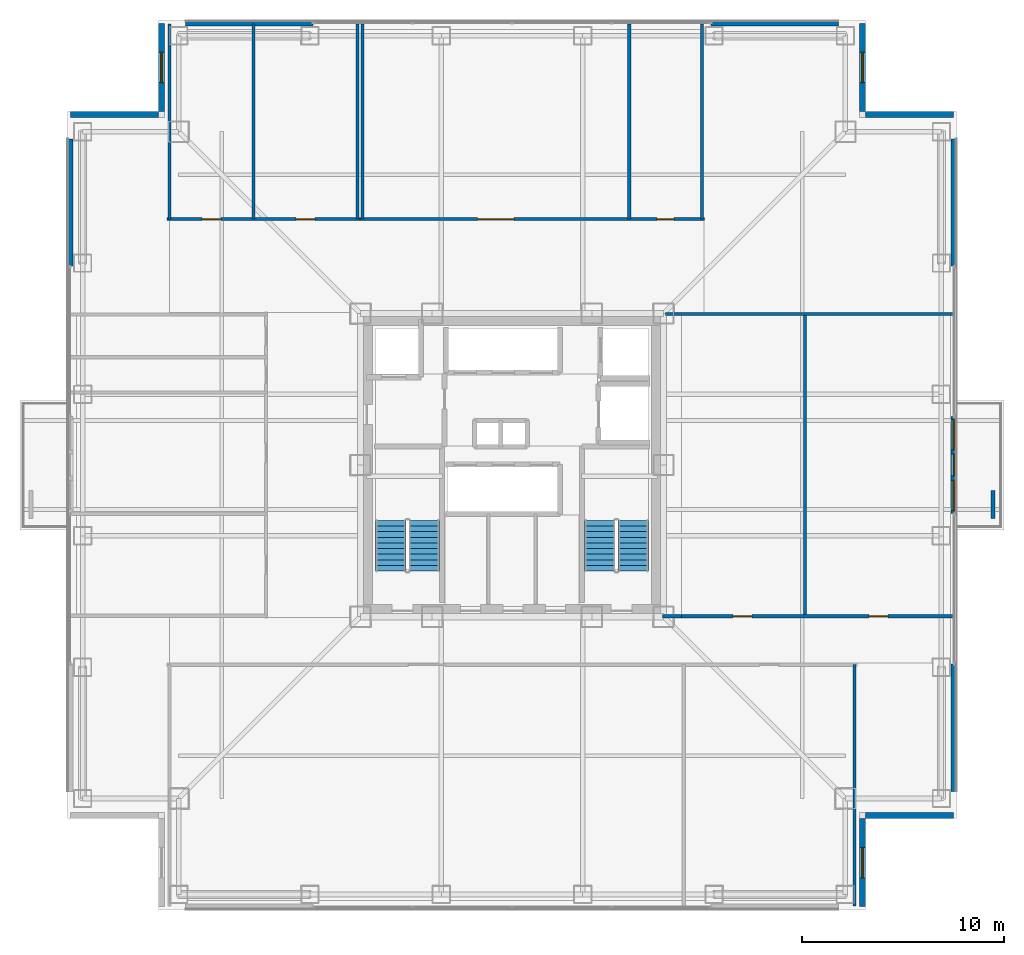
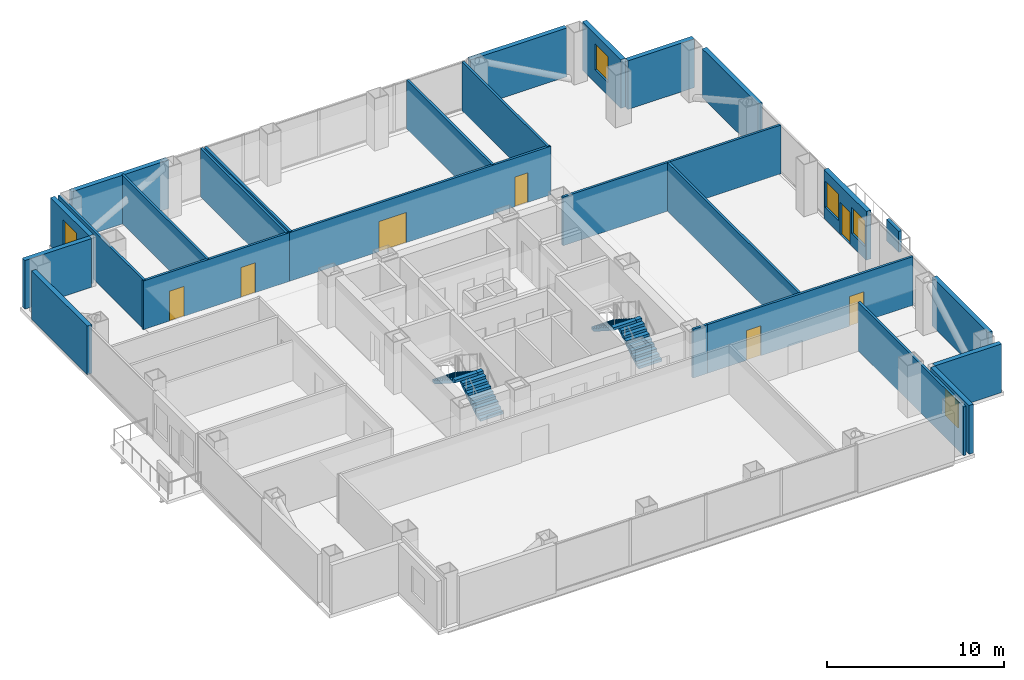
# One storey, part 13 of 16: 26 walls, 7 doors, 5 windows, 4 stair flights, 12 openings, 2 elements without a shape of their own.
"""IFC4 building model written with IfcOpenShell, lengths in metres."""

from ifc_helpers import new_model, si_unit, direction, frame, frame_2d, origin, place, context, subcontext, project, spatial, polyline, rectangle, outline, extrude, material, layer, layer_set, type_object, element, fill, aggregate, save


model = new_model("IFC4")

# Units and contexts
model_context = context("Model", 3, precision=1e-05, world=origin(), true_north=direction((0.0, 1.0)))
body_context = subcontext(model_context, "Body", "Model", "MODEL_VIEW")
ifc_project = project(units=[si_unit("LENGTHUNIT", "METRE"), si_unit("AREAUNIT", "SQUARE_METRE"), si_unit("VOLUMEUNIT", "CUBIC_METRE"), si_unit("PLANEANGLEUNIT", "RADIAN"), si_unit("MASSUNIT", "GRAM", prefix="KILO")], contexts=[model_context])

# Site, building, storey
site_placement = place(None, origin())
site = spatial("IfcSite", under=ifc_project, at=site_placement, CompositionType="ELEMENT")
building_placement = place(site_placement, origin())
building = spatial("IfcBuilding", under=site, at=building_placement, Name="Trevonay Congress Spire", CompositionType="ELEMENT")
storey_placement = place(building_placement, frame((0.0, 0.0, 144.39990234375)))
storey = spatial("IfcBuildingStorey", under=building, at=storey_placement, Name="L37", CompositionType="ELEMENT", Elevation=144.39990234375)

# Wall, openings, doors
ifc_material_1 = material(Name="Concrete C40/50", Category="concrete")
ifc_layer_1 = layer(ifc_material_1, 0.14990234375, Name="Concrete C40/50")
ifc_layer_set_1 = layer_set([ifc_layer_1], Name="Concrete C40/50")
wall_type_1 = type_object("IfcWallType", Name="WAL-CORR-150", PredefinedType="PARTITIONING", material=ifc_layer_set_1)
wall_1_placement = place(storey_placement, frame((-17.070068359375, 12.179931640625, 0.0), z_axis=(0.0, 0.0, 1.0), x_axis=(1.0, 0.0, 0.0)))
wall_1 = element("IfcWall", 1, at=wall_1_placement, inside=storey, type_object=wall_type_1, Name="L37 interior wall WP-L37NW-COR", PredefinedType="PARTITIONING", context=body_context, shape_type="SweptSolid", body=[
    extrude(rectangle(XDim=9.5400390625, YDim=0.14990234375, at=frame_2d((4.77001953125, 0.0))), origin(), (0.0, 0.0, 1.0), 3.360107421875),
])
opening_1_placement = place(wall_1_placement, frame((1.719970703125, 0.0, 0.0)))
opening_1 = element("IfcOpeningElement", 2, at=opening_1_placement, cuts=wall_1, Name="Opening D07", PredefinedType="OPENING", context=body_context, shape_type="SweptSolid", body=[
    extrude(rectangle(XDim=0.949951171875, YDim=2.06005859375, at=frame_2d((0.47509765625, 1.030029296875))), frame((0.0, 0.0849609375, 0.0), z_axis=(0.0, -1.0, 0.0), x_axis=(1.0, 0.0, 0.0)), (0.0, 0.0, 1.0), 0.169921875),
])
opening_2_placement = place(wall_1_placement, frame((6.3701171875, 0.0, 0.0)))
opening_2 = element("IfcOpeningElement", 3, at=opening_2_placement, cuts=wall_1, Name="Opening D07", PredefinedType="OPENING", context=body_context, shape_type="SweptSolid", body=[
    extrude(rectangle(XDim=0.949951171875, YDim=2.06005859375, at=frame_2d((0.47509765625, 1.030029296875))), frame((0.0, 0.0849609375, 0.0), z_axis=(0.0, -1.0, 0.0), x_axis=(1.0, 0.0, 0.0)), (0.0, 0.0, 1.0), 0.169921875),
])
ifc_material_2 = material(Name="Pale Anodised Aluminium EN AW-6063-T6", Category="aluminium")
door_type_1 = type_object("IfcDoorType", Name="DOR-OFFICE-95", OperationType="NOTDEFINED", PredefinedType="DOOR", material=ifc_material_2)
door_1_placement = place(opening_1_placement, origin())
door_1 = element("IfcDoor", 4, at=door_1_placement, inside=storey, type_object=door_type_1, Name="L37 Podcast Production Office Door", OperationType="SINGLE_SWING_RIGHT", OverallHeight=2.06005859375, OverallWidth=0.949951171875, PredefinedType="DOOR", context=body_context, shape_type="SweptSolid", body=[
    extrude(rectangle(XDim=0.949951171875, YDim=2.06005859375, at=frame_2d((0.47509765625, 1.030029296875))), frame((0.0, 0.02490234375, 0.0), z_axis=(0.0, -1.0, 0.0), x_axis=(1.0, 0.0, 0.0)), (0.0, 0.0, 1.0), 0.050048828125),
])
fill(opening_1, door_1)
door_2_placement = place(opening_2_placement, origin())
door_2 = element("IfcDoor", 5, at=door_2_placement, inside=storey, type_object=door_type_1, Name="L37 Audio Editing Office Door", OperationType="SINGLE_SWING_LEFT", OverallHeight=2.06005859375, OverallWidth=0.949951171875, PredefinedType="DOOR", context=body_context, shape_type="SweptSolid", body=[
    extrude(rectangle(XDim=0.949951171875, YDim=2.06005859375, at=frame_2d((0.47509765625, 1.030029296875))), frame((0.0, 0.02490234375, 0.0), z_axis=(0.0, -1.0, 0.0), x_axis=(1.0, 0.0, 0.0)), (0.0, 0.0, 1.0), 0.050048828125),
])
fill(opening_2, door_2)

wall_2_placement = place(storey_placement, frame((-7.52001953125, 12.179931640625, 0.0), z_axis=(0.0, 0.0, 1.0), x_axis=(1.0, 0.0, 0.0)))
wall_2 = element("IfcWall", 6, at=wall_2_placement, inside=storey, type_object=wall_type_1, Name="L37 interior wall WP-L37NE-COR", PredefinedType="PARTITIONING", context=body_context, shape_type="SweptSolid", body=[
    extrude(rectangle(XDim=17.0400390625, YDim=0.14990234375, at=frame_2d((8.52001953125, 0.0))), origin(), (0.0, 0.0, 1.0), 3.360107421875),
])
opening_3_placement = place(wall_2_placement, frame((5.820068359375, 0.0, 0.0)))
opening_3 = element("IfcOpeningElement", 7, at=opening_3_placement, cuts=wall_2, Name="Opening D09", PredefinedType="OPENING", context=body_context, shape_type="SweptSolid", body=[
    extrude(rectangle(XDim=1.800048828125, YDim=2.080078125, at=frame_2d((0.89990234375, 1.0400390625))), frame((0.0, 0.0849609375, 0.0), z_axis=(0.0, -1.0, 0.0), x_axis=(1.0, 0.0, 0.0)), (0.0, 0.0, 1.0), 0.169921875),
])
opening_4_placement = place(wall_2_placement, frame((14.695068359375, 0.0, 0.0)))
opening_4 = element("IfcOpeningElement", 8, at=opening_4_placement, cuts=wall_2, Name="Opening D10", PredefinedType="OPENING", context=body_context, shape_type="SweptSolid", body=[
    extrude(rectangle(XDim=0.85009765625, YDim=2.050048828125, at=frame_2d((0.425048828125, 1.02490234375))), frame((0.0, 0.0849609375, 0.0), z_axis=(0.0, -1.0, 0.0), x_axis=(1.0, 0.0, 0.0)), (0.0, 0.0, 1.0), 0.169921875),
])
door_type_2 = type_object("IfcDoorType", Name="DOR-CONF-DBL", OperationType="DOUBLE_DOOR_SINGLE_SWING", PredefinedType="DOOR", material=ifc_material_2)
door_3_placement = place(opening_3_placement, origin())
door_3 = element("IfcDoor", 9, at=door_3_placement, inside=storey, type_object=door_type_2, Name="L37 Photography Exhibition Salon Door", OperationType="DOUBLE_DOOR_SINGLE_SWING", OverallHeight=2.080078125, OverallWidth=1.800048828125, PredefinedType="DOOR", context=body_context, shape_type="SweptSolid", body=[
    extrude(rectangle(XDim=1.800048828125, YDim=2.080078125, at=frame_2d((0.89990234375, 1.0400390625))), frame((0.0, 0.02490234375, 0.0), z_axis=(0.0, -1.0, 0.0), x_axis=(1.0, 0.0, 0.0)), (0.0, 0.0, 1.0), 0.050048828125),
])
fill(opening_3, door_3)
door_type_3 = type_object("IfcDoorType", Name="DOR-WC-85", OperationType="NOTDEFINED", PredefinedType="DOOR", material=ifc_material_2)
door_4_placement = place(opening_4_placement, origin())
door_4 = element("IfcDoor", 10, at=door_4_placement, inside=storey, type_object=door_type_3, Name="L37 Female Restroom WC Door", OperationType="SINGLE_SWING_RIGHT", OverallHeight=2.050048828125, OverallWidth=0.85009765625, PredefinedType="DOOR", context=body_context, shape_type="SweptSolid", body=[
    extrude(rectangle(XDim=0.85009765625, YDim=2.050048828125, at=frame_2d((0.425048828125, 1.02490234375))), frame((0.0, 0.02490234375, 0.0), z_axis=(0.0, -1.0, 0.0), x_axis=(1.0, 0.0, 0.0)), (0.0, 0.0, 1.0), 0.050048828125),
])
fill(opening_4, door_4)

# Wall
wall_3_placement = place(storey_placement, frame((7.449951171875, -7.47998046875, 0.0), z_axis=(0.0, 0.0, 1.0), x_axis=(1.0, 0.0, 0.0)))
element("IfcWall", 11, at=wall_3_placement, inside=storey, type_object=wall_type_1, Name="L37 interior wall WP-L37E-STUB", PredefinedType="PARTITIONING", context=body_context, shape_type="SweptSolid", body=[
    extrude(rectangle(XDim=0.949951171875, YDim=0.14990234375, at=frame_2d((0.47509765625, 0.0))), origin(), (0.0, 0.0, 1.0), 3.360107421875),
])

# Wall, openings, doors
wall_4_placement = place(storey_placement, frame((8.280029296875, -7.47998046875, 0.0), z_axis=(0.0, 0.0, 1.0), x_axis=(1.0, 0.0, 0.0)))
wall_4 = element("IfcWall", 12, at=wall_4_placement, inside=storey, type_object=wall_type_1, Name="L37 interior wall WP-L37E-COR", PredefinedType="PARTITIONING", context=body_context, shape_type="SweptSolid", body=[
    extrude(rectangle(XDim=13.5400390625, YDim=0.14990234375, at=frame_2d((6.77001953125, 0.0))), origin(), (0.0, 0.0, 1.0), 3.360107421875),
])
opening_5_placement = place(wall_4_placement, frame((2.655029296875, 0.0, 0.0)))
opening_5 = element("IfcOpeningElement", 13, at=opening_5_placement, cuts=wall_4, Name="Opening D07", PredefinedType="OPENING", context=body_context, shape_type="SweptSolid", body=[
    extrude(rectangle(XDim=0.949951171875, YDim=2.06005859375, at=frame_2d((0.47509765625, 1.030029296875))), frame((0.0, 0.0849609375, 0.0), z_axis=(0.0, -1.0, 0.0), x_axis=(1.0, 0.0, 0.0)), (0.0, 0.0, 1.0), 0.169921875),
])
opening_6_placement = place(wall_4_placement, frame((9.385009765625, 0.0, 0.0)))
opening_6 = element("IfcOpeningElement", 14, at=opening_6_placement, cuts=wall_4, Name="Opening D07", PredefinedType="OPENING", context=body_context, shape_type="SweptSolid", body=[
    extrude(rectangle(XDim=0.949951171875, YDim=2.06005859375, at=frame_2d((0.47509765625, 1.030029296875))), frame((0.0, 0.0849609375, 0.0), z_axis=(0.0, -1.0, 0.0), x_axis=(1.0, 0.0, 0.0)), (0.0, 0.0, 1.0), 0.169921875),
])
door_5_placement = place(opening_5_placement, origin())
door_5 = element("IfcDoor", 15, at=door_5_placement, inside=storey, type_object=door_type_1, Name="L37 East Briefing Office Door", OperationType="SINGLE_SWING_LEFT", OverallHeight=2.06005859375, OverallWidth=0.949951171875, PredefinedType="DOOR", context=body_context, shape_type="SweptSolid", body=[
    extrude(rectangle(XDim=0.949951171875, YDim=2.06005859375, at=frame_2d((0.47509765625, 1.030029296875))), frame((0.0, 0.02490234375, 0.0), z_axis=(0.0, -1.0, 0.0), x_axis=(1.0, 0.0, 0.0)), (0.0, 0.0, 1.0), 0.050048828125),
])
fill(opening_5, door_5)
door_6_placement = place(opening_6_placement, origin())
door_6 = element("IfcDoor", 16, at=door_6_placement, inside=storey, type_object=door_type_1, Name="L37 Archive Copy Room Door", OperationType="SINGLE_SWING_RIGHT", OverallHeight=2.06005859375, OverallWidth=0.949951171875, PredefinedType="DOOR", context=body_context, shape_type="SweptSolid", body=[
    extrude(rectangle(XDim=0.949951171875, YDim=2.06005859375, at=frame_2d((0.47509765625, 1.030029296875))), frame((0.0, 0.02490234375, 0.0), z_axis=(0.0, -1.0, 0.0), x_axis=(1.0, 0.0, 0.0)), (0.0, 0.0, 1.0), 0.050048828125),
])
fill(opening_6, door_6)

# Walls
ifc_material_3 = material(Name="Precast concrete C40/50", Category="concrete")
ifc_layer_2 = layer(ifc_material_3, 0.300048828125, Name="Precast concrete C40/50")
ifc_layer_set_2 = layer_set([ifc_layer_2], Name="Precast concrete C40/50")
wall_type_2 = type_object("IfcWallType", Name="WAL-EXT-PRECAST-300", PredefinedType="SOLIDWALL", material=ifc_layer_set_2)
for number, where, z_axis, x_axis, name in (
    (17, (-16.14990234375, 21.8798828125, 0.0), (0.0, 0.0, 1.0), (1.0, 0.0, 0.0), "L37 NL braced-bay exterior pier wall"),
    (18, (9.85009765625, 21.8798828125, 0.0), (0.0, 0.0, 1.0), (1.0, 0.0, 0.0), "L37 NR braced-bay exterior pier wall"),
    (19, (-21.8798828125, 9.85009765625, 0.0), (0.0, 0.0, 1.0), (0.0, 1.0, 0.0), "L37 WR braced-bay exterior pier wall"),
    (20, (21.8798828125, -16.14990234375, 0.0), (0.0, 0.0, 1.0), (0.0, 1.0, 0.0), "L37 EL braced-bay exterior pier wall"),
    (21, (21.8798828125, 9.85009765625, 0.0), (0.0, 0.0, 1.0), (0.0, 1.0, 0.0), "L37 ER braced-bay exterior pier wall"),
):
    element("IfcWall", number, at=place(storey_placement, frame(where, z_axis=z_axis, x_axis=x_axis)), inside=storey, type_object=wall_type_2, Name=name, PredefinedType="SOLIDWALL", context=body_context, shape_type="SweptSolid", body=[
        extrude(rectangle(XDim=6.2998046875, YDim=0.300048828125, at=frame_2d((3.14990234375, 0.0))), origin(), (0.0, 0.0, 1.0), 3.360107421875),
    ])

# Wall, openings, door, windows
wall_5_placement = place(storey_placement, frame((21.8798828125, -2.39990234375, 0.0), z_axis=(0.0, 0.0, 1.0), x_axis=(0.0, 1.0, 0.0)))
wall_5 = element("IfcWall", 22, at=wall_5_placement, inside=storey, type_object=wall_type_2, Name="L37 E glazed balcony portal exterior wall", PredefinedType="SOLIDWALL", context=body_context, shape_type="SweptSolid", body=[
    extrude(rectangle(XDim=4.7998046875, YDim=0.300048828125, at=frame_2d((2.39990234375, 0.0))), origin(), (0.0, 0.0, 1.0), 3.360107421875),
])
opening_7_placement = place(wall_5_placement, frame((1.85009765625, 0.0, 0.0)))
opening_7 = element("IfcOpeningElement", 23, at=opening_7_placement, cuts=wall_5, Name="Opening D03", PredefinedType="OPENING", context=body_context, shape_type="SweptSolid", body=[
    extrude(rectangle(XDim=1.10009765625, YDim=2.199951171875, at=frame_2d((0.550048828125, 1.10009765625))), frame((0.0, 0.16015625, 0.0), z_axis=(0.0, -1.0, 0.0), x_axis=(1.0, 0.0, 0.0)), (0.0, 0.0, 1.0), 0.320068359375),
])
opening_8_placement = place(wall_5_placement, frame((0.14990234375, 0.0, 0.85009765625)))
opening_8 = element("IfcOpeningElement", 24, at=opening_8_placement, cuts=wall_5, Name="Opening WN03", PredefinedType="OPENING", context=body_context, shape_type="SweptSolid", body=[
    extrude(rectangle(XDim=1.5, YDim=1.800048828125, at=frame_2d((0.75, 0.89990234375))), frame((0.0, 0.16015625, 0.0), z_axis=(0.0, -1.0, 0.0), x_axis=(1.0, 0.0, 0.0)), (0.0, 0.0, 1.0), 0.320068359375),
])
opening_9_placement = place(wall_5_placement, frame((3.14990234375, 0.0, 0.85009765625)))
opening_9 = element("IfcOpeningElement", 25, at=opening_9_placement, cuts=wall_5, Name="Opening WN03", PredefinedType="OPENING", context=body_context, shape_type="SweptSolid", body=[
    extrude(rectangle(XDim=1.5, YDim=1.800048828125, at=frame_2d((0.75, 0.89990234375))), frame((0.0, 0.16015625, 0.0), z_axis=(0.0, -1.0, 0.0), x_axis=(1.0, 0.0, 0.0)), (0.0, 0.0, 1.0), 0.320068359375),
])
door_type_4 = type_object("IfcDoorType", Name="DOR-EXT-BAL-110", OperationType="NOTDEFINED", PredefinedType="DOOR", material=ifc_material_2)
door_7_placement = place(opening_7_placement, origin())
door_7 = element("IfcDoor", 26, at=door_7_placement, inside=storey, type_object=door_type_4, Name="L37 E glazed outdoor terrace and balcony door", OperationType="SINGLE_SWING_RIGHT", OverallHeight=2.199951171875, OverallWidth=1.10009765625, PredefinedType="DOOR", context=body_context, shape_type="SweptSolid", body=[
    extrude(rectangle(XDim=1.10009765625, YDim=2.199951171875, at=frame_2d((0.550048828125, 1.10009765625))), frame((0.0, 0.02490234375, 0.0), z_axis=(0.0, -1.0, 0.0), x_axis=(1.0, 0.0, 0.0)), (0.0, 0.0, 1.0), 0.050048828125),
])
fill(opening_7, door_7)
ifc_material_4 = material(Name="Insulated Low-E Vision Glass IGU", Category="glass")
window_type = type_object("IfcWindowType", Name="WIN-NOTCH-150X180", PartitioningType="SINGLE_PANEL", PredefinedType="WINDOW", material=ifc_material_4)
window_1_placement = place(opening_8_placement, origin())
window_1 = element("IfcWindow", 27, at=window_1_placement, inside=storey, type_object=window_type, Name="L37 E balcony sidelight window L", OverallHeight=1.800048828125, OverallWidth=1.5, PartitioningType="SINGLE_PANEL", PredefinedType="WINDOW", context=body_context, shape_type="SweptSolid", body=[
    extrude(rectangle(XDim=1.5, YDim=1.800048828125, at=frame_2d((0.75, 0.89990234375))), frame((0.0, 0.030029296875, 0.0), z_axis=(0.0, -1.0, 0.0), x_axis=(1.0, 0.0, 0.0)), (0.0, 0.0, 1.0), 0.06005859375),
])
fill(opening_8, window_1)
window_2_placement = place(opening_9_placement, origin())
window_2 = element("IfcWindow", 28, at=window_2_placement, inside=storey, type_object=window_type, Name="L37 E balcony sidelight window R", OverallHeight=1.800048828125, OverallWidth=1.5, PartitioningType="SINGLE_PANEL", PredefinedType="WINDOW", context=body_context, shape_type="SweptSolid", body=[
    extrude(rectangle(XDim=1.5, YDim=1.800048828125, at=frame_2d((0.75, 0.89990234375))), frame((0.0, 0.030029296875, 0.0), z_axis=(0.0, -1.0, 0.0), x_axis=(1.0, 0.0, 0.0)), (0.0, 0.0, 1.0), 0.06005859375),
])
fill(opening_9, window_2)

# Wall, opening, window
wall_6_placement = place(storey_placement, frame((17.35009765625, -21.85009765625, 0.0), z_axis=(0.0, 0.0, 1.0), x_axis=(0.0, 1.0, 0.0)))
wall_6 = element("IfcWall", 29, at=wall_6_placement, inside=storey, type_object=wall_type_2, Name="L37 SE re-entrant notch exterior wall 1", PredefinedType="SOLIDWALL", context=body_context, shape_type="SweptSolid", body=[
    extrude(rectangle(XDim=4.35009765625, YDim=0.300048828125, at=frame_2d((2.175048828125, 0.0))), origin(), (0.0, 0.0, 1.0), 3.360107421875),
])
opening_10_placement = place(wall_6_placement, frame((1.425048828125, 0.0, 0.89990234375)))
opening_10 = element("IfcOpeningElement", 30, at=opening_10_placement, cuts=wall_6, Name="Opening WN03", PredefinedType="OPENING", context=body_context, shape_type="SweptSolid", body=[
    extrude(rectangle(XDim=1.5, YDim=1.800048828125, at=frame_2d((0.75, 0.89990234375))), frame((0.0, 0.16015625, 0.0), z_axis=(0.0, -1.0, 0.0), x_axis=(1.0, 0.0, 0.0)), (0.0, 0.0, 1.0), 0.320068359375),
])
window_3_placement = place(opening_10_placement, origin())
window_3 = element("IfcWindow", 31, at=window_3_placement, inside=storey, type_object=window_type, Name="L37 SE corner notch window", OverallHeight=1.800048828125, OverallWidth=1.5, PartitioningType="SINGLE_PANEL", PredefinedType="WINDOW", context=body_context, shape_type="SweptSolid", body=[
    extrude(rectangle(XDim=1.5, YDim=1.800048828125, at=frame_2d((0.75, 0.89990234375))), frame((0.0, 0.030029296875, 0.0), z_axis=(0.0, -1.0, 0.0), x_axis=(1.0, 0.0, 0.0)), (0.0, 0.0, 1.0), 0.06005859375),
])
fill(opening_10, window_3)

# Wall
wall_7_placement = place(storey_placement, frame((21.85009765625, -17.35009765625, 0.0), z_axis=(0.0, 0.0, 1.0), x_axis=(-1.0, 0.0, 0.0)))
element("IfcWall", 32, at=wall_7_placement, inside=storey, type_object=wall_type_2, Name="L37 SE re-entrant notch exterior wall 2", PredefinedType="SOLIDWALL", context=body_context, shape_type="SweptSolid", body=[
    extrude(rectangle(XDim=4.35009765625, YDim=0.300048828125, at=frame_2d((2.175048828125, 0.0))), origin(), (0.0, 0.0, 1.0), 3.360107421875),
])

# Wall, opening, window
wall_8_placement = place(storey_placement, frame((17.35009765625, 21.85009765625, 0.0), z_axis=(0.0, 0.0, 1.0), x_axis=(0.0, -1.0, 0.0)))
wall_8 = element("IfcWall", 33, at=wall_8_placement, inside=storey, type_object=wall_type_2, Name="L37 NE re-entrant notch exterior wall 1", PredefinedType="SOLIDWALL", context=body_context, shape_type="SweptSolid", body=[
    extrude(rectangle(XDim=4.35009765625, YDim=0.300048828125, at=frame_2d((2.175048828125, 0.0))), origin(), (0.0, 0.0, 1.0), 3.360107421875),
])
opening_11_placement = place(wall_8_placement, frame((1.425048828125, 0.0, 0.89990234375)))
opening_11 = element("IfcOpeningElement", 34, at=opening_11_placement, cuts=wall_8, Name="Opening WN03", PredefinedType="OPENING", context=body_context, shape_type="SweptSolid", body=[
    extrude(rectangle(XDim=1.5, YDim=1.800048828125, at=frame_2d((0.75, 0.89990234375))), frame((0.0, 0.16015625, 0.0), z_axis=(0.0, -1.0, 0.0), x_axis=(1.0, 0.0, 0.0)), (0.0, 0.0, 1.0), 0.320068359375),
])
window_4_placement = place(opening_11_placement, origin())
window_4 = element("IfcWindow", 35, at=window_4_placement, inside=storey, type_object=window_type, Name="L37 NE corner notch window", OverallHeight=1.800048828125, OverallWidth=1.5, PartitioningType="SINGLE_PANEL", PredefinedType="WINDOW", context=body_context, shape_type="SweptSolid", body=[
    extrude(rectangle(XDim=1.5, YDim=1.800048828125, at=frame_2d((0.75, 0.89990234375))), frame((0.0, 0.030029296875, 0.0), z_axis=(0.0, -1.0, 0.0), x_axis=(1.0, 0.0, 0.0)), (0.0, 0.0, 1.0), 0.06005859375),
])
fill(opening_11, window_4)

# Wall
wall_9_placement = place(storey_placement, frame((21.85009765625, 17.35009765625, 0.0), z_axis=(0.0, 0.0, 1.0), x_axis=(-1.0, 0.0, 0.0)))
element("IfcWall", 36, at=wall_9_placement, inside=storey, type_object=wall_type_2, Name="L37 NE re-entrant notch exterior wall 2", PredefinedType="SOLIDWALL", context=body_context, shape_type="SweptSolid", body=[
    extrude(rectangle(XDim=4.35009765625, YDim=0.300048828125, at=frame_2d((2.175048828125, 0.0))), origin(), (0.0, 0.0, 1.0), 3.360107421875),
])

# Wall, opening, window
wall_10_placement = place(storey_placement, frame((-17.35009765625, 21.85009765625, 0.0), z_axis=(0.0, 0.0, 1.0), x_axis=(0.0, -1.0, 0.0)))
wall_10 = element("IfcWall", 37, at=wall_10_placement, inside=storey, type_object=wall_type_2, Name="L37 NW re-entrant notch exterior wall 1", PredefinedType="SOLIDWALL", context=body_context, shape_type="SweptSolid", body=[
    extrude(rectangle(XDim=4.35009765625, YDim=0.300048828125, at=frame_2d((2.175048828125, 0.0))), origin(), (0.0, 0.0, 1.0), 3.360107421875),
])
opening_12_placement = place(wall_10_placement, frame((1.425048828125, 0.0, 0.89990234375)))
opening_12 = element("IfcOpeningElement", 38, at=opening_12_placement, cuts=wall_10, Name="Opening WN03", PredefinedType="OPENING", context=body_context, shape_type="SweptSolid", body=[
    extrude(rectangle(XDim=1.5, YDim=1.800048828125, at=frame_2d((0.75, 0.89990234375))), frame((0.0, 0.16015625, 0.0), z_axis=(0.0, -1.0, 0.0), x_axis=(1.0, 0.0, 0.0)), (0.0, 0.0, 1.0), 0.320068359375),
])
window_5_placement = place(opening_12_placement, origin())
window_5 = element("IfcWindow", 39, at=window_5_placement, inside=storey, type_object=window_type, Name="L37 NW corner notch window", OverallHeight=1.800048828125, OverallWidth=1.5, PartitioningType="SINGLE_PANEL", PredefinedType="WINDOW", context=body_context, shape_type="SweptSolid", body=[
    extrude(rectangle(XDim=1.5, YDim=1.800048828125, at=frame_2d((0.75, 0.89990234375))), frame((0.0, 0.030029296875, 0.0), z_axis=(0.0, -1.0, 0.0), x_axis=(1.0, 0.0, 0.0)), (0.0, 0.0, 1.0), 0.06005859375),
])
fill(opening_12, window_5)

# Walls
wall_11_placement = place(storey_placement, frame((-21.85009765625, 17.35009765625, 0.0), z_axis=(0.0, 0.0, 1.0), x_axis=(1.0, 0.0, 0.0)))
element("IfcWall", 40, at=wall_11_placement, inside=storey, type_object=wall_type_2, Name="L37 NW re-entrant notch exterior wall 2", PredefinedType="SOLIDWALL", context=body_context, shape_type="SweptSolid", body=[
    extrude(rectangle(XDim=4.35009765625, YDim=0.300048828125, at=frame_2d((2.175048828125, 0.0))), origin(), (0.0, 0.0, 1.0), 3.360107421875),
])
ifc_layer_3 = layer(ifc_material_1, 0.14990234375, Name="Concrete C40/50")
ifc_layer_set_3 = layer_set([ifc_layer_3], Name="Concrete C40/50")
wall_type_3 = type_object("IfcWallType", Name="WAL-PART-150", PredefinedType="PARTITIONING", material=ifc_layer_set_3)
wall_12_placement = place(storey_placement, frame((16.949951171875, -21.820068359375, 0.0), z_axis=(0.0, 0.0, 1.0), x_axis=(0.0, 1.0, 0.0)))
element("IfcWall", 41, at=wall_12_placement, inside=storey, type_object=wall_type_3, Name="L37 interior wall WP-L37S-DIV3", PredefinedType="PARTITIONING", context=body_context, shape_type="SweptSolid", body=[
    extrude(rectangle(XDim=11.940185546875, YDim=0.14990234375, at=frame_2d((5.97021484375, 0.0))), origin(), (0.0, 0.0, 1.0), 3.360107421875),
])
for number, where, z_axis, x_axis, name in (
    (42, (-16.949951171875, 12.179931640625, 0.0), (0.0, 0.0, 1.0), (0.0, 1.0, 0.0), "L37 interior wall WP-L37NW-DIV1"),
    (43, (-12.800048828125, 12.179931640625, 0.0), (0.0, 0.0, 1.0), (0.0, 1.0, 0.0), "L37 interior wall WP-L37NW-DIV2"),
    (44, (-7.64990234375, 12.179931640625, 0.0), (0.0, 0.0, 1.0), (0.0, 1.0, 0.0), "L37 interior wall WP-L37NW-DIV3"),
    (45, (9.39990234375, 12.179931640625, 0.0), (0.0, 0.0, 1.0), (0.0, 1.0, 0.0), "L37 interior wall WP-L37NE-DIV3"),
):
    element("IfcWall", number, at=place(storey_placement, frame(where, z_axis=z_axis, x_axis=x_axis)), inside=storey, type_object=wall_type_3, Name=name, PredefinedType="PARTITIONING", context=body_context, shape_type="SweptSolid", body=[
        extrude(rectangle(XDim=9.64013671875, YDim=0.14990234375, at=frame_2d((4.820068359375, 0.0))), origin(), (0.0, 0.0, 1.0), 3.360107421875),
    ])
wall_13_placement = place(storey_placement, frame((14.5, -7.47998046875, 0.0), z_axis=(0.0, 0.0, 1.0), x_axis=(0.0, 1.0, 0.0)))
element("IfcWall", 46, at=wall_13_placement, inside=storey, type_object=wall_type_3, Name="L37 interior wall WP-L37E-DIV1", PredefinedType="PARTITIONING", context=body_context, shape_type="SweptSolid", body=[
    extrude(rectangle(XDim=14.8798828125, YDim=0.14990234375, at=frame_2d((7.43994140625, 0.0))), origin(), (0.0, 0.0, 1.0), 3.360107421875),
])
wall_14_placement = place(storey_placement, frame((7.60009765625, 7.47998046875, 0.0), z_axis=(0.0, 0.0, 1.0), x_axis=(1.0, 0.0, 0.0)))
element("IfcWall", 47, at=wall_14_placement, inside=storey, type_object=wall_type_3, Name="L37 interior wall WP-L37E-NCLS", PredefinedType="PARTITIONING", context=body_context, shape_type="SweptSolid", body=[
    extrude(rectangle(XDim=14.219970703125, YDim=0.14990234375, at=frame_2d((7.10986328125, 0.0))), origin(), (0.0, 0.0, 1.0), 3.360107421875),
])
ifc_layer_4 = layer(ifc_material_3, 0.199951171875, Name="Precast concrete C40/50")
ifc_layer_set_4 = layer_set([ifc_layer_4], Name="Precast concrete C40/50")
wall_type_4 = type_object("IfcWallType", Name="WAL-TREE-PLANTER-200", PredefinedType="PARAPET", material=ifc_layer_set_4)
wall_15_placement = place(storey_placement, frame((23.800048828125, -2.64990234375, 0.0), z_axis=(0.0, 0.0, 1.0), x_axis=(0.0, 1.0, 0.0)))
element("IfcWall", 48, at=wall_15_placement, inside=storey, type_object=wall_type_4, Name="L37 E cantilevered balcony tree planter box", PredefinedType="PARAPET", context=body_context, shape_type="SweptSolid", body=[
    extrude(rectangle(XDim=1.39990234375, YDim=0.199951171875, at=frame_2d((0.699951171875, 0.0))), origin(), (0.0, 0.0, 1.0), 1.4501953125),
])
ifc_layer_5 = layer(ifc_material_1, 0.1650390625, Name="Concrete C40/50")
ifc_layer_set_5 = layer_set([ifc_layer_5], Name="Concrete C40/50")
wall_type_5 = type_object("IfcWallType", Name="WAL-WET-165", PredefinedType="PLUMBINGWALL", material=ifc_layer_set_5)
for number, where, z_axis, x_axis, name in (
    (49, (-7.39990234375, 12.179931640625, 0.0), (0.0, 0.0, 1.0), (0.0, 1.0, 0.0), "L37 interior wall WP-L37NE-DIV1"),
    (50, (5.800048828125, 12.179931640625, 0.0), (0.0, 0.0, 1.0), (0.0, 1.0, 0.0), "L37 interior wall WP-L37NE-DIV2"),
):
    element("IfcWall", number, at=place(storey_placement, frame(where, z_axis=z_axis, x_axis=x_axis)), inside=storey, type_object=wall_type_5, Name=name, PredefinedType="PLUMBINGWALL", context=body_context, shape_type="SweptSolid", body=[
        extrude(rectangle(XDim=9.64013671875, YDim=0.1650390625, at=frame_2d((4.820068359375, 0.0))), origin(), (0.0, 0.0, 1.0), 3.360107421875),
    ])

# Stair, stair flights
stair_type_1 = type_object("IfcStairType", Name="STR-ST-1", PredefinedType="HALF_TURN_STAIR", material=ifc_material_1)
stair_1_placement = place(storey_placement, origin())
stair_1 = element("IfcStair", 51, at=stair_1_placement, inside=storey, type_object=stair_type_1, Name="L37 Protected Exit Stair ST-1", PredefinedType="HALF_TURN_STAIR")
stair_flight_type_1 = type_object("IfcStairFlightType", Name="SFL-ST-1", PredefinedType="STRAIGHT", material=ifc_material_1)
stair_flight_1_placement = place(storey_placement, frame((-4.35009765625, -5.25, 0.0), z_axis=(0.0, 0.0, 1.0), x_axis=(0.0, 1.0, 0.0)))
stair_flight_1 = element("IfcStairFlight", 52, at=stair_flight_1_placement, type_object=stair_flight_type_1, Name="ST-1 flight 1", NumberOfRisers=10, NumberOfTreads=9, PredefinedType="STRAIGHT", RiserHeight=0.18, TreadLength=0.28, context=body_context, shape_type="SweptSolid", body=[
    extrude(outline(polyline([(0.0, 0.0), (0.0, 0.179931640625), (0.280029296875, 0.179931640625), (0.280029296875, 0.360107421875), (0.56005859375, 0.360107421875), (0.56005859375, 0.5400390625), (0.840087890625, 0.5400390625), (0.840087890625, 0.719970703125), (1.1201171875, 0.719970703125), (1.1201171875, 0.89990234375), (1.39990234375, 0.89990234375), (1.39990234375, 1.080078125), (1.679931640625, 1.080078125), (1.679931640625, 1.260009765625), (1.9599609375, 1.260009765625), (1.9599609375, 1.43994140625), (2.239990234375, 1.43994140625), (2.239990234375, 1.6201171875), (2.52001953125, 1.6201171875), (2.52001953125, 1.800048828125), (2.52001953125, 1.44189453125), (0.277099609375, 0.0), (0.0, 0.0)])), frame((0.0, 0.75, 0.0), z_axis=(0.0, -1.0, 0.0), x_axis=(1.0, 0.0, 0.0)), (0.0, 0.0, 1.0), 1.5),
])
stair_flight_2_placement = place(storey_placement, frame((-6.0, -2.72998046875, 1.800048828125), z_axis=(0.0, 0.0, 1.0), x_axis=(0.0, -1.0, 0.0)))
stair_flight_2 = element("IfcStairFlight", 53, at=stair_flight_2_placement, type_object=stair_flight_type_1, Name="ST-1 flight 2", NumberOfRisers=10, NumberOfTreads=9, PredefinedType="STRAIGHT", RiserHeight=0.18, TreadLength=0.28, context=body_context, shape_type="SweptSolid", body=[
    extrude(outline(polyline([(0.0, 0.0), (0.0, 0.179931640625), (0.280029296875, 0.179931640625), (0.280029296875, 0.360107421875), (0.56005859375, 0.360107421875), (0.56005859375, 0.5400390625), (0.840087890625, 0.5400390625), (0.840087890625, 0.719970703125), (1.1201171875, 0.719970703125), (1.1201171875, 0.89990234375), (1.39990234375, 0.89990234375), (1.39990234375, 1.080078125), (1.679931640625, 1.080078125), (1.679931640625, 1.260009765625), (1.9599609375, 1.260009765625), (1.9599609375, 1.43994140625), (2.239990234375, 1.43994140625), (2.239990234375, 1.6201171875), (2.52001953125, 1.6201171875), (2.52001953125, 1.800048828125), (2.52001953125, 1.44189453125), (0.277099609375, 0.0), (0.0, 0.0)])), frame((0.0, 0.75, 0.0), z_axis=(0.0, -1.0, 0.0), x_axis=(1.0, 0.0, 0.0)), (0.0, 0.0, 1.0), 1.5),
])
aggregate(stair_1, [stair_flight_1, stair_flight_2])

stair_type_2 = type_object("IfcStairType", Name="STR-ST-2", PredefinedType="HALF_TURN_STAIR", material=ifc_material_1)
stair_2_placement = place(storey_placement, origin())
stair_2 = element("IfcStair", 54, at=stair_2_placement, inside=storey, type_object=stair_type_2, Name="L37 Protected Exit Stair ST-2", PredefinedType="HALF_TURN_STAIR")
stair_flight_type_2 = type_object("IfcStairFlightType", Name="SFL-ST-2", PredefinedType="STRAIGHT", material=ifc_material_1)
stair_flight_3_placement = place(storey_placement, frame((6.0, -5.25, 0.0), z_axis=(0.0, 0.0, 1.0), x_axis=(0.0, 1.0, 0.0)))
stair_flight_3 = element("IfcStairFlight", 55, at=stair_flight_3_placement, type_object=stair_flight_type_2, Name="ST-2 flight 1", NumberOfRisers=10, NumberOfTreads=9, PredefinedType="STRAIGHT", RiserHeight=0.18, TreadLength=0.28, context=body_context, shape_type="SweptSolid", body=[
    extrude(outline(polyline([(0.0, 0.0), (0.0, 0.179931640625), (0.280029296875, 0.179931640625), (0.280029296875, 0.360107421875), (0.56005859375, 0.360107421875), (0.56005859375, 0.5400390625), (0.840087890625, 0.5400390625), (0.840087890625, 0.719970703125), (1.1201171875, 0.719970703125), (1.1201171875, 0.89990234375), (1.39990234375, 0.89990234375), (1.39990234375, 1.080078125), (1.679931640625, 1.080078125), (1.679931640625, 1.260009765625), (1.9599609375, 1.260009765625), (1.9599609375, 1.43994140625), (2.239990234375, 1.43994140625), (2.239990234375, 1.6201171875), (2.52001953125, 1.6201171875), (2.52001953125, 1.800048828125), (2.52001953125, 1.44189453125), (0.277099609375, 0.0), (0.0, 0.0)])), frame((0.0, 0.75, 0.0), z_axis=(0.0, -1.0, 0.0), x_axis=(1.0, 0.0, 0.0)), (0.0, 0.0, 1.0), 1.5),
])
stair_flight_4_placement = place(storey_placement, frame((4.35009765625, -2.72998046875, 1.800048828125), z_axis=(0.0, 0.0, 1.0), x_axis=(0.0, -1.0, 0.0)))
stair_flight_4 = element("IfcStairFlight", 56, at=stair_flight_4_placement, type_object=stair_flight_type_2, Name="ST-2 flight 2", NumberOfRisers=10, NumberOfTreads=9, PredefinedType="STRAIGHT", RiserHeight=0.18, TreadLength=0.28, context=body_context, shape_type="SweptSolid", body=[
    extrude(outline(polyline([(0.0, 0.0), (0.0, 0.179931640625), (0.280029296875, 0.179931640625), (0.280029296875, 0.360107421875), (0.56005859375, 0.360107421875), (0.56005859375, 0.5400390625), (0.840087890625, 0.5400390625), (0.840087890625, 0.719970703125), (1.1201171875, 0.719970703125), (1.1201171875, 0.89990234375), (1.39990234375, 0.89990234375), (1.39990234375, 1.080078125), (1.679931640625, 1.080078125), (1.679931640625, 1.260009765625), (1.9599609375, 1.260009765625), (1.9599609375, 1.43994140625), (2.239990234375, 1.43994140625), (2.239990234375, 1.6201171875), (2.52001953125, 1.6201171875), (2.52001953125, 1.800048828125), (2.52001953125, 1.44189453125), (0.277099609375, 0.0), (0.0, 0.0)])), frame((0.0, 0.75, 0.0), z_axis=(0.0, -1.0, 0.0), x_axis=(1.0, 0.0, 0.0)), (0.0, 0.0, 1.0), 1.5),
])
aggregate(stair_2, [stair_flight_3, stair_flight_4])

save(model, "model.ifc")
